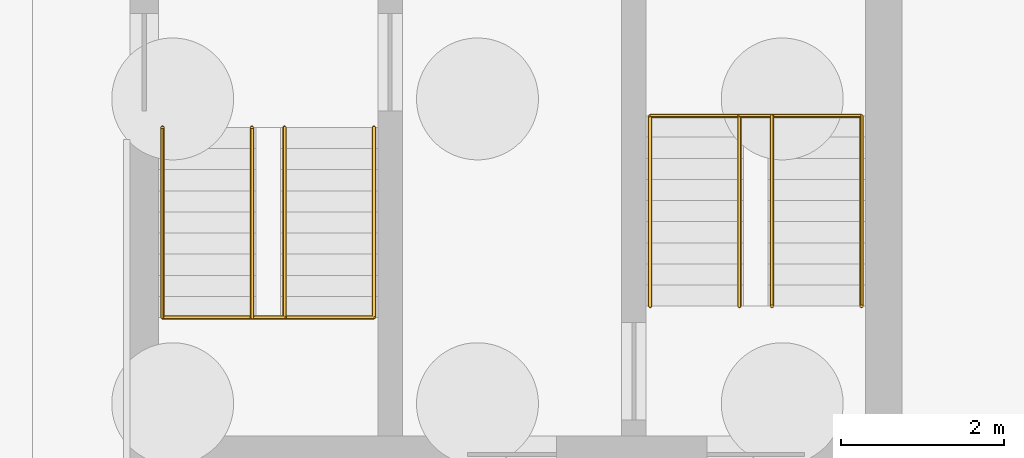
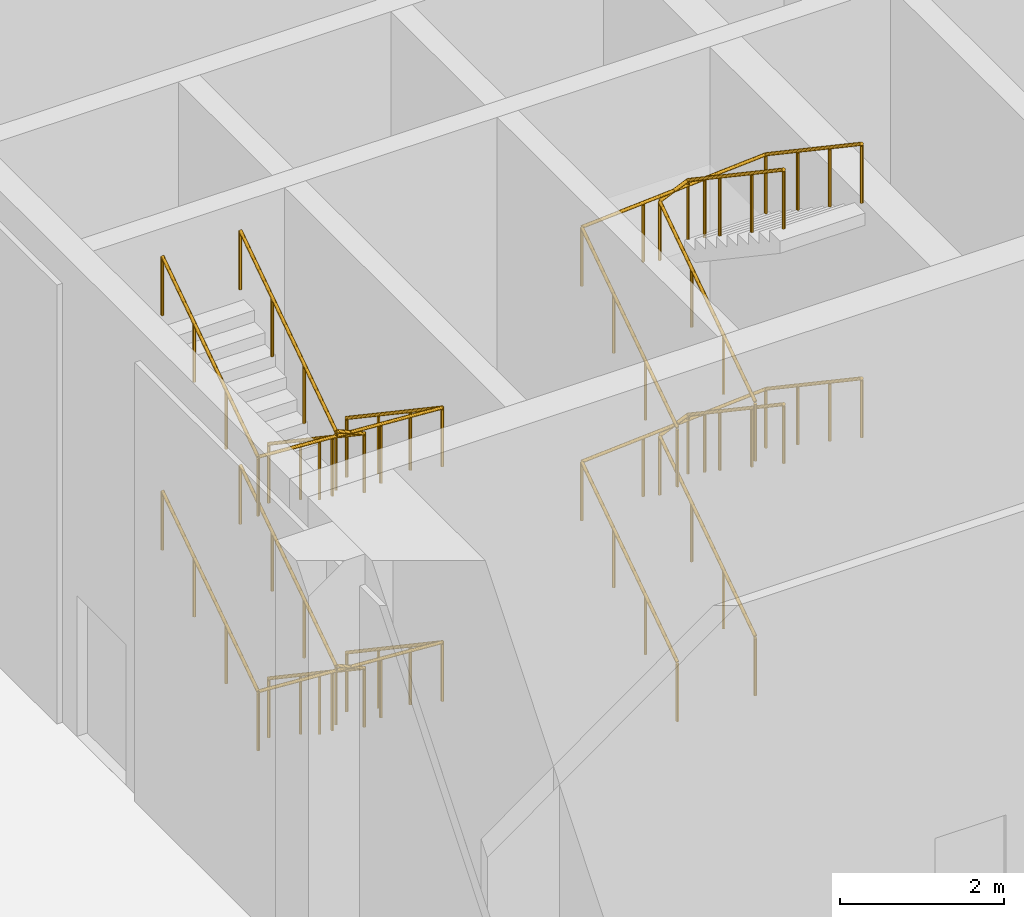
# One storey, part 24 of 26: 8 railings.
"""IFC4 building model written with IfcOpenShell, lengths in metres."""

import ifcopenshell
import ifcopenshell.guid

model = None  # the IFC model being written
_history = None  # IfcOwnerHistory: only IFC2X3 demands one
_inside = {}  # id of a spatial element -> (the spatial element, [elements in it])
_under = {}  # id of a project, library or spatial element -> (it, [spatial elements below it])
_declared = {}  # id of a project -> (the project, [libraries it declares])
_typed = {}  # id of a type object -> (the type object, [elements of that type])
_made_of = {}  # id of a material, layer set ... -> (it, [elements and type objects made of it])


def new_model(schema):
    """Start an empty IFC model of exactly this schema.

    Asked for "IFC4X3", IfcOpenShell would pick the latest addendum, in which some entities
    have other attributes; the version numbers below select the first issue.
    IFC2X3 requires an IfcOwnerHistory on every rooted entity: one is made here for all.
    """
    global model, _history
    if schema == "IFC4X3":
        model = ifcopenshell.file(schema_version=(4, 3, 0, 0))
    else:
        model = ifcopenshell.file(schema=schema)
    _inside.clear()
    _under.clear()
    _declared.clear()
    _typed.clear()
    _made_of.clear()
    _history = None
    if model.schema == "IFC2X3":
        org = make("IfcOrganization", Name="unknown")
        user = make(
            "IfcPersonAndOrganization",
            ThePerson=make("IfcPerson", FamilyName="unknown"),
            TheOrganization=org,
        )
        app = make(
            "IfcApplication",
            ApplicationDeveloper=org,
            Version="unknown",
            ApplicationFullName="unknown",
            ApplicationIdentifier="unknown",
        )
        _history = make(
            "IfcOwnerHistory",
            OwningUser=user,
            OwningApplication=app,
            ChangeAction="ADDED",
            CreationDate=0,
        )
    return model


def make(cls, **values):
    """One entity of the class cls with the attributes given. An attribute that is None is left unset."""
    return model.create_entity(
        cls, **{name: value for name, value in values.items() if value is not None}
    )


def rooted(cls, **values):
    """An entity with a GlobalId (a new one), such as an element, a storey or a relation."""
    return make(cls, GlobalId=ifcopenshell.guid.new(), OwnerHistory=_history, **values)


def si_unit(unit_type, name, prefix=None):
    """IfcSIUnit, for example si_unit("LENGTHUNIT", "METRE", prefix="MILLI")."""
    return make("IfcSIUnit", UnitType=unit_type, Prefix=prefix, Name=name)


def assignment(units):
    """IfcUnitAssignment: the units of a project."""
    return None if units is None else make("IfcUnitAssignment", Units=units)


def point(xyz):
    """IfcCartesianPoint."""
    return None if xyz is None else make("IfcCartesianPoint", Coordinates=xyz)


def direction(xyz):
    """IfcDirection."""
    return None if xyz is None else make("IfcDirection", DirectionRatios=xyz)


def frame(location, z_axis=None, x_axis=None):
    """IfcAxis2Placement3D, a coordinate frame: its origin and axes. An axis left out is left unset."""
    return make(
        "IfcAxis2Placement3D",
        Location=point(location),
        Axis=direction(z_axis),
        RefDirection=direction(x_axis),
    )


def frame_2d(location, x_axis=None):
    """IfcAxis2Placement2D, a coordinate frame in the plane: its origin and x axis."""
    return make(
        "IfcAxis2Placement2D", Location=point(location), RefDirection=direction(x_axis)
    )


def origin():
    """The frame at (0, 0, 0) with its axes left unset."""
    return frame((0.0, 0.0, 0.0))


def origin_2d():
    """The frame at (0, 0) in the plane with its x axis left unset."""
    return frame_2d((0.0, 0.0))


def place(relative_to, where):
    """IfcLocalPlacement: puts the frame where relative to a parent placement (None: the world)."""
    return make(
        "IfcLocalPlacement", PlacementRelTo=relative_to, RelativePlacement=where
    )


def context(
    kind, dimensions, precision=None, world=None, true_north=None, identifier=None
):
    """IfcGeometricRepresentationContext, for example the 3D "Model" context."""
    return make(
        "IfcGeometricRepresentationContext",
        ContextIdentifier=identifier,
        ContextType=kind,
        CoordinateSpaceDimension=dimensions,
        Precision=precision,
        WorldCoordinateSystem=world,
        TrueNorth=true_north,
    )


def subcontext(parent, identifier, kind, view, scale=None):
    """IfcGeometricRepresentationSubContext, for example "Body" below "Model"."""
    return make(
        "IfcGeometricRepresentationSubContext",
        ContextIdentifier=identifier,
        ContextType=kind,
        ParentContext=parent,
        TargetScale=scale,
        TargetView=view,
    )


def project(units=None, contexts=None):
    """IfcProject with its units and contexts."""
    return rooted(
        "IfcProject",
        Name="project",
        RepresentationContexts=contexts,
        UnitsInContext=assignment(units),
    )


def spatial(cls, under=None, at=None, **own):
    """A site, building, storey or space (cls), placed at a placement, below another one or the project."""
    s = rooted(cls, ObjectPlacement=at, **own)
    if under is not None:
        _under.setdefault(under.id(), (under, []))[1].append(s)
    return s


def profile(cls, at=None, kind="AREA", **sizes):
    """A parametric profile (cls). Its sizes go by their IFC names, for example OverallWidth=200.0."""
    return make(cls, ProfileType=kind, Position=at, **sizes)


def circle(**sizes):
    """IfcCircleProfileDef."""
    return profile("IfcCircleProfileDef", **sizes)


def extrude(swept, where, along, depth):
    """IfcExtrudedAreaSolid: the profile swept, set in the frame where, extruded along a direction by depth."""
    return make(
        "IfcExtrudedAreaSolid",
        SweptArea=swept,
        Position=where,
        ExtrudedDirection=direction(along),
        Depth=depth,
    )


def shape(context_of_items, identifier, shape_type, items):
    """IfcShapeRepresentation: the items that make up one representation, for example the "Body"."""
    return make(
        "IfcShapeRepresentation",
        ContextOfItems=context_of_items,
        RepresentationIdentifier=identifier,
        RepresentationType=shape_type,
        Items=items,
    )


def material(Name=None, Category=None):
    """IfcMaterial."""
    return make("IfcMaterial", Name=Name, Category=Category)


def made_of(thing, what):
    """Note that an element or type object is made of a material, layer set ...; save() writes the relation."""
    if what is not None:
        _made_of.setdefault(what.id(), (what, []))[1].append(thing)
    return thing


def type_object(cls, material=None, **own):
    """A type object (cls), such as IfcWallType, which elements share."""
    return made_of(rooted(cls, **own), material)


def element(
    cls,
    number,
    at=None,
    inside=None,
    cuts=None,
    type_object=None,
    material=None,
    context=None,
    identifier="Body",
    shape_type=None,
    held_by="IfcProductDefinitionShape",
    body=None,
    shapes=None,
    **own,
):
    """One element of the class cls, such as IfcWall. Its Tag is "e" and its number.

    at: its placement. inside: the storey or other place that contains it. cuts: it is an
    opening in that element (IfcRelVoidsElement). A single representation is given by context,
    identifier, shape_type and body (its items); several are given by shapes. held_by: the class
    of the entity that holds the representations. save() writes the other relations.
    """
    e = rooted(cls, Tag="e%d" % number, ObjectPlacement=at, **own)
    if body is not None:
        shapes = [shape(context, identifier, shape_type, body)]
    if shapes is not None:
        e.Representation = make(held_by, Representations=shapes)
    if inside is not None:
        _inside.setdefault(inside.id(), (inside, []))[1].append(e)
    if cuts is not None:
        rooted(
            "IfcRelVoidsElement", RelatingBuildingElement=cuts, RelatedOpeningElement=e
        )
    if type_object is not None:
        _typed.setdefault(type_object.id(), (type_object, []))[1].append(e)
    return made_of(e, material)


def aggregate(whole, parts):
    """IfcRelAggregates: a whole, such as a stair, and the parts it consists of."""
    return rooted("IfcRelAggregates", RelatingObject=whole, RelatedObjects=parts)


def save(model, path):
    """Write the relations noted so far, then the file.

    IfcRelAggregates (storeys below a building ...), IfcRelContainedInSpatialStructure (elements
    in a storey), IfcRelDefinesByType, IfcRelAssociatesMaterial and IfcRelDeclares: one each for
    every whole, place, type object, material and project.
    """
    for whole, parts in _under.values():
        aggregate(whole, parts)
    for where, things in _inside.values():
        rooted(
            "IfcRelContainedInSpatialStructure",
            RelatedElements=things,
            RelatingStructure=where,
        )
    for kind, things in _typed.values():
        rooted("IfcRelDefinesByType", RelatedObjects=things, RelatingType=kind)
    for what, things in _made_of.values():
        rooted("IfcRelAssociatesMaterial", RelatedObjects=things, RelatingMaterial=what)
    for by, libraries in _declared.values():
        rooted("IfcRelDeclares", RelatingContext=by, RelatedDefinitions=libraries)
    model.write(path)


model = new_model("IFC4")

# Units and contexts
model_context = context("Model", 3, precision=1e-05, world=origin(), true_north=direction((0.0, 1.0)))
body_context = subcontext(model_context, "Body", "Model", "MODEL_VIEW")
ifc_project = project(units=[si_unit("LENGTHUNIT", "METRE"), si_unit("AREAUNIT", "SQUARE_METRE"), si_unit("VOLUMEUNIT", "CUBIC_METRE"), si_unit("PLANEANGLEUNIT", "RADIAN"), si_unit("MASSUNIT", "GRAM", prefix="KILO")], contexts=[model_context])

# Site, building, storey
site_placement = place(None, origin())
site = spatial("IfcSite", under=ifc_project, at=site_placement, CompositionType="ELEMENT")
building_placement = place(site_placement, origin())
building = spatial("IfcBuilding", under=site, at=building_placement, Name="Torana Hotel and Residences", CompositionType="ELEMENT")
storey_placement = place(building_placement, origin())
storey = spatial("IfcBuildingStorey", under=building, at=storey_placement, Name="L00", CompositionType="ELEMENT", Elevation=0.0)

# Railings
ifc_material = material(Name="Stainless steel 316", Category="steel")
railing_type = type_object("IfcRailingType", Name="STAIR HANDRAIL HR1 900", PredefinedType="HANDRAIL", material=ifc_material)
railing_1_placement = place(storey_placement, frame((13.0, -10.75, 0.175048828125)))
element("IfcRailing", 1, at=railing_1_placement, inside=storey, type_object=railing_type, Name="Handrail ST3 L00 O1", PredefinedType="HANDRAIL", context=body_context, shape_type="SweptSolid", body=[
    extrude(circle(Radius=0.02392578125, at=origin_2d()), frame((0.0, 0.0, 0.8759765625), z_axis=(0.0, -0.829605480656, 0.558350021462), x_axis=(1.0, 0.0, 0.0)), (0.0, 0.0, 1.0), 2.82080078125),
    extrude(circle(Radius=0.02392578125, at=origin_2d()), frame((0.0, -2.340087890625, 2.45068359375), z_axis=(-0.997741418201, 0.0, 0.067171887028), x_axis=(0.0, -1.0, 0.0)), (0.0, 0.0, 1.0), 2.60595703125),
    extrude(circle(Radius=0.02392578125, at=origin_2d()), frame((-2.60009765625, -2.340087890625, 2.6259765625), z_axis=(0.0, 0.829605480656, 0.558350021462), x_axis=(-1.0, 0.0, 0.0)), (0.0, 0.0, 1.0), 2.82080078125),
    extrude(circle(Radius=0.02099609375, at=origin_2d()), origin(), (0.0, 0.0, 1.0), 0.851806640625),
    extrude(circle(Radius=0.02099609375, at=origin_2d()), frame((0.0, -0.780029296875, 0.52490234375)), (0.0, 0.0, 1.0), 0.851806640625),
    extrude(circle(Radius=0.02099609375, at=origin_2d()), frame((0.0, -1.56005859375, 1.050048828125)), (0.0, 0.0, 1.0), 0.851806640625),
    extrude(circle(Radius=0.02099609375, at=origin_2d()), frame((0.0, -2.340087890625, 1.574951171875)), (0.0, 0.0, 1.0), 0.851806640625),
    extrude(circle(Radius=0.02099609375, at=origin_2d()), frame((-0.86669921875, -2.340087890625, 1.63330078125)), (0.0, 0.0, 1.0), 0.851806640625),
    extrude(circle(Radius=0.02099609375, at=origin_2d()), frame((-1.7333984375, -2.340087890625, 1.691650390625)), (0.0, 0.0, 1.0), 0.851806640625),
    extrude(circle(Radius=0.02099609375, at=origin_2d()), frame((-2.60009765625, -2.340087890625, 1.75)), (0.0, 0.0, 1.0), 0.851806640625),
    extrude(circle(Radius=0.02099609375, at=origin_2d()), frame((-2.60009765625, -1.56005859375, 2.27490234375)), (0.0, 0.0, 1.0), 0.851806640625),
    extrude(circle(Radius=0.02099609375, at=origin_2d()), frame((-2.60009765625, -0.780029296875, 2.800048828125)), (0.0, 0.0, 1.0), 0.851806640625),
    extrude(circle(Radius=0.02099609375, at=origin_2d()), frame((-2.60009765625, 0.0, 3.324951171875)), (0.0, 0.0, 1.0), 0.851806640625),
])
railing_2_placement = place(storey_placement, frame((11.89990234375, -10.75, 0.175048828125)))
element("IfcRailing", 2, at=railing_2_placement, inside=storey, type_object=railing_type, Name="Handrail ST3 L00 I1", PredefinedType="HANDRAIL", context=body_context, shape_type="SweptSolid", body=[
    extrude(circle(Radius=0.02392578125, at=origin_2d()), frame((0.0, 0.0, 0.8759765625), z_axis=(0.0, -0.829605480656, 0.558350021462), x_axis=(1.0, 0.0, 0.0)), (0.0, 0.0, 1.0), 2.82080078125),
    extrude(circle(Radius=0.02392578125, at=origin_2d()), frame((0.0, -2.340087890625, 2.45068359375), z_axis=(-0.916080304094, 0.0, 0.400994858385), x_axis=(0.0, -1.0, 0.0)), (0.0, 0.0, 1.0), 0.4365234375),
    extrude(circle(Radius=0.02392578125, at=origin_2d()), frame((-0.39990234375, -2.340087890625, 2.6259765625), z_axis=(0.0, 0.829605480656, 0.558350021462), x_axis=(-1.0, 0.0, 0.0)), (0.0, 0.0, 1.0), 2.82080078125),
    extrude(circle(Radius=0.02099609375, at=origin_2d()), origin(), (0.0, 0.0, 1.0), 0.851806640625),
    extrude(circle(Radius=0.02099609375, at=origin_2d()), frame((0.0, -0.780029296875, 0.52490234375)), (0.0, 0.0, 1.0), 0.851806640625),
    extrude(circle(Radius=0.02099609375, at=origin_2d()), frame((0.0, -1.56005859375, 1.050048828125)), (0.0, 0.0, 1.0), 0.851806640625),
    extrude(circle(Radius=0.02099609375, at=origin_2d()), frame((0.0, -2.340087890625, 1.574951171875)), (0.0, 0.0, 1.0), 0.851806640625),
    extrude(circle(Radius=0.02099609375, at=origin_2d()), frame((-0.39990234375, -2.340087890625, 1.75)), (0.0, 0.0, 1.0), 0.851806640625),
    extrude(circle(Radius=0.02099609375, at=origin_2d()), frame((-0.39990234375, -1.56005859375, 2.27490234375)), (0.0, 0.0, 1.0), 0.851806640625),
    extrude(circle(Radius=0.02099609375, at=origin_2d()), frame((-0.39990234375, -0.780029296875, 2.800048828125)), (0.0, 0.0, 1.0), 0.851806640625),
    extrude(circle(Radius=0.02099609375, at=origin_2d()), frame((-0.39990234375, 0.0, 3.324951171875)), (0.0, 0.0, 1.0), 0.851806640625),
])
railing_3_placement = place(storey_placement, frame((13.0, -10.75, 3.675048828125)))
element("IfcRailing", 3, at=railing_3_placement, inside=storey, type_object=railing_type, Name="Handrail ST3 L00 O2", PredefinedType="HANDRAIL", context=body_context, shape_type="SweptSolid", body=[
    extrude(circle(Radius=0.02392578125, at=origin_2d()), frame((0.0, 0.0, 0.8759765625), z_axis=(0.0, -0.829605480656, 0.558350021462), x_axis=(1.0, 0.0, 0.0)), (0.0, 0.0, 1.0), 2.82080078125),
    extrude(circle(Radius=0.02392578125, at=origin_2d()), frame((0.0, -2.340087890625, 2.45068359375), z_axis=(-0.997741418201, 0.0, 0.067171887028), x_axis=(0.0, -1.0, 0.0)), (0.0, 0.0, 1.0), 2.60595703125),
    extrude(circle(Radius=0.02392578125, at=origin_2d()), frame((-2.60009765625, -2.340087890625, 2.6259765625), z_axis=(0.0, 0.829605480656, 0.558350021462), x_axis=(-1.0, 0.0, 0.0)), (0.0, 0.0, 1.0), 2.82080078125),
    extrude(circle(Radius=0.02099609375, at=origin_2d()), origin(), (0.0, 0.0, 1.0), 0.851806640625),
    extrude(circle(Radius=0.02099609375, at=origin_2d()), frame((0.0, -0.780029296875, 0.52490234375)), (0.0, 0.0, 1.0), 0.851806640625),
    extrude(circle(Radius=0.02099609375, at=origin_2d()), frame((0.0, -1.56005859375, 1.050048828125)), (0.0, 0.0, 1.0), 0.851806640625),
    extrude(circle(Radius=0.02099609375, at=origin_2d()), frame((0.0, -2.340087890625, 1.574951171875)), (0.0, 0.0, 1.0), 0.851806640625),
    extrude(circle(Radius=0.02099609375, at=origin_2d()), frame((-0.86669921875, -2.340087890625, 1.63330078125)), (0.0, 0.0, 1.0), 0.851806640625),
    extrude(circle(Radius=0.02099609375, at=origin_2d()), frame((-1.7333984375, -2.340087890625, 1.691650390625)), (0.0, 0.0, 1.0), 0.851806640625),
    extrude(circle(Radius=0.02099609375, at=origin_2d()), frame((-2.60009765625, -2.340087890625, 1.75)), (0.0, 0.0, 1.0), 0.851806640625),
    extrude(circle(Radius=0.02099609375, at=origin_2d()), frame((-2.60009765625, -1.56005859375, 2.27490234375)), (0.0, 0.0, 1.0), 0.851806640625),
    extrude(circle(Radius=0.02099609375, at=origin_2d()), frame((-2.60009765625, -0.780029296875, 2.800048828125)), (0.0, 0.0, 1.0), 0.851806640625),
    extrude(circle(Radius=0.02099609375, at=origin_2d()), frame((-2.60009765625, 0.0, 3.324951171875)), (0.0, 0.0, 1.0), 0.851806640625),
])
railing_4_placement = place(storey_placement, frame((11.89990234375, -10.75, 3.675048828125)))
element("IfcRailing", 4, at=railing_4_placement, inside=storey, type_object=railing_type, Name="Handrail ST3 L00 I2", PredefinedType="HANDRAIL", context=body_context, shape_type="SweptSolid", body=[
    extrude(circle(Radius=0.02392578125, at=origin_2d()), frame((0.0, 0.0, 0.8759765625), z_axis=(0.0, -0.829605480656, 0.558350021462), x_axis=(1.0, 0.0, 0.0)), (0.0, 0.0, 1.0), 2.82080078125),
    extrude(circle(Radius=0.02392578125, at=origin_2d()), frame((0.0, -2.340087890625, 2.45068359375), z_axis=(-0.916080304094, 0.0, 0.400994858385), x_axis=(0.0, -1.0, 0.0)), (0.0, 0.0, 1.0), 0.4365234375),
    extrude(circle(Radius=0.02392578125, at=origin_2d()), frame((-0.39990234375, -2.340087890625, 2.6259765625), z_axis=(0.0, 0.829605480656, 0.558350021462), x_axis=(-1.0, 0.0, 0.0)), (0.0, 0.0, 1.0), 2.82080078125),
    extrude(circle(Radius=0.02099609375, at=origin_2d()), origin(), (0.0, 0.0, 1.0), 0.851806640625),
    extrude(circle(Radius=0.02099609375, at=origin_2d()), frame((0.0, -0.780029296875, 0.52490234375)), (0.0, 0.0, 1.0), 0.851806640625),
    extrude(circle(Radius=0.02099609375, at=origin_2d()), frame((0.0, -1.56005859375, 1.050048828125)), (0.0, 0.0, 1.0), 0.851806640625),
    extrude(circle(Radius=0.02099609375, at=origin_2d()), frame((0.0, -2.340087890625, 1.574951171875)), (0.0, 0.0, 1.0), 0.851806640625),
    extrude(circle(Radius=0.02099609375, at=origin_2d()), frame((-0.39990234375, -2.340087890625, 1.75)), (0.0, 0.0, 1.0), 0.851806640625),
    extrude(circle(Radius=0.02099609375, at=origin_2d()), frame((-0.39990234375, -1.56005859375, 2.27490234375)), (0.0, 0.0, 1.0), 0.851806640625),
    extrude(circle(Radius=0.02099609375, at=origin_2d()), frame((-0.39990234375, -0.780029296875, 2.800048828125)), (0.0, 0.0, 1.0), 0.851806640625),
    extrude(circle(Radius=0.02099609375, at=origin_2d()), frame((-0.39990234375, 0.0, 3.324951171875)), (0.0, 0.0, 1.0), 0.851806640625),
])
railing_5_placement = place(storey_placement, frame((16.39990234375, -12.949951171875, 0.175048828125)))
element("IfcRailing", 5, at=railing_5_placement, inside=storey, type_object=railing_type, Name="Handrail ST4 L00 O1", PredefinedType="HANDRAIL", context=body_context, shape_type="SweptSolid", body=[
    extrude(circle(Radius=0.02392578125, at=origin_2d()), frame((0.0, 0.0, 0.8759765625), z_axis=(0.0, 0.829578494604, 0.558390115681), x_axis=(-1.0, 0.0, 0.0)), (0.0, 0.0, 1.0), 2.820556640625),
    extrude(circle(Radius=0.02392578125, at=origin_2d()), frame((0.0, 2.33984375, 2.45068359375), z_axis=(0.997741418201, 0.0, 0.067171887028), x_axis=(0.0, 1.0, 0.0)), (0.0, 0.0, 1.0), 2.60595703125),
    extrude(circle(Radius=0.02392578125, at=origin_2d()), frame((2.60009765625, 2.33984375, 2.6259765625), z_axis=(0.0, -0.829578494604, 0.558390115681), x_axis=(1.0, 0.0, 0.0)), (0.0, 0.0, 1.0), 2.820556640625),
    extrude(circle(Radius=0.02099609375, at=origin_2d()), origin(), (0.0, 0.0, 1.0), 0.851806640625),
    extrude(circle(Radius=0.02099609375, at=origin_2d()), frame((0.0, 0.780029296875, 0.52490234375)), (0.0, 0.0, 1.0), 0.851806640625),
    extrude(circle(Radius=0.02099609375, at=origin_2d()), frame((0.0, 1.559814453125, 1.050048828125)), (0.0, 0.0, 1.0), 0.851806640625),
    extrude(circle(Radius=0.02099609375, at=origin_2d()), frame((0.0, 2.33984375, 1.574951171875)), (0.0, 0.0, 1.0), 0.851806640625),
    extrude(circle(Radius=0.02099609375, at=origin_2d()), frame((0.86669921875, 2.33984375, 1.63330078125)), (0.0, 0.0, 1.0), 0.851806640625),
    extrude(circle(Radius=0.02099609375, at=origin_2d()), frame((1.7333984375, 2.33984375, 1.691650390625)), (0.0, 0.0, 1.0), 0.851806640625),
    extrude(circle(Radius=0.02099609375, at=origin_2d()), frame((2.60009765625, 2.33984375, 1.75)), (0.0, 0.0, 1.0), 0.851806640625),
    extrude(circle(Radius=0.02099609375, at=origin_2d()), frame((2.60009765625, 1.559814453125, 2.27490234375)), (0.0, 0.0, 1.0), 0.851806640625),
    extrude(circle(Radius=0.02099609375, at=origin_2d()), frame((2.60009765625, 0.780029296875, 2.800048828125)), (0.0, 0.0, 1.0), 0.851806640625),
    extrude(circle(Radius=0.02099609375, at=origin_2d()), frame((2.60009765625, 0.0, 3.324951171875)), (0.0, 0.0, 1.0), 0.851806640625),
])
railing_6_placement = place(storey_placement, frame((17.5, -12.949951171875, 0.175048828125)))
element("IfcRailing", 6, at=railing_6_placement, inside=storey, type_object=railing_type, Name="Handrail ST4 L00 I1", PredefinedType="HANDRAIL", context=body_context, shape_type="SweptSolid", body=[
    extrude(circle(Radius=0.02392578125, at=origin_2d()), frame((0.0, 0.0, 0.8759765625), z_axis=(0.0, 0.829578494604, 0.558390115681), x_axis=(-1.0, 0.0, 0.0)), (0.0, 0.0, 1.0), 2.820556640625),
    extrude(circle(Radius=0.02392578125, at=origin_2d()), frame((0.0, 2.33984375, 2.45068359375), z_axis=(0.916080304094, 0.0, 0.400994858385), x_axis=(0.0, 1.0, 0.0)), (0.0, 0.0, 1.0), 0.4365234375),
    extrude(circle(Radius=0.02392578125, at=origin_2d()), frame((0.39990234375, 2.33984375, 2.6259765625), z_axis=(0.0, -0.829578494604, 0.558390115681), x_axis=(1.0, 0.0, 0.0)), (0.0, 0.0, 1.0), 2.820556640625),
    extrude(circle(Radius=0.02099609375, at=origin_2d()), origin(), (0.0, 0.0, 1.0), 0.851806640625),
    extrude(circle(Radius=0.02099609375, at=origin_2d()), frame((0.0, 0.780029296875, 0.52490234375)), (0.0, 0.0, 1.0), 0.851806640625),
    extrude(circle(Radius=0.02099609375, at=origin_2d()), frame((0.0, 1.559814453125, 1.050048828125)), (0.0, 0.0, 1.0), 0.851806640625),
    extrude(circle(Radius=0.02099609375, at=origin_2d()), frame((0.0, 2.33984375, 1.574951171875)), (0.0, 0.0, 1.0), 0.851806640625),
    extrude(circle(Radius=0.02099609375, at=origin_2d()), frame((0.39990234375, 2.33984375, 1.75)), (0.0, 0.0, 1.0), 0.851806640625),
    extrude(circle(Radius=0.02099609375, at=origin_2d()), frame((0.39990234375, 1.559814453125, 2.27490234375)), (0.0, 0.0, 1.0), 0.851806640625),
    extrude(circle(Radius=0.02099609375, at=origin_2d()), frame((0.39990234375, 0.780029296875, 2.800048828125)), (0.0, 0.0, 1.0), 0.851806640625),
    extrude(circle(Radius=0.02099609375, at=origin_2d()), frame((0.39990234375, 0.0, 3.324951171875)), (0.0, 0.0, 1.0), 0.851806640625),
])
railing_7_placement = place(storey_placement, frame((16.39990234375, -12.949951171875, 3.675048828125)))
element("IfcRailing", 7, at=railing_7_placement, inside=storey, type_object=railing_type, Name="Handrail ST4 L00 O2", PredefinedType="HANDRAIL", context=body_context, shape_type="SweptSolid", body=[
    extrude(circle(Radius=0.02392578125, at=origin_2d()), frame((0.0, 0.0, 0.8759765625), z_axis=(0.0, 0.829578494604, 0.558390115681), x_axis=(-1.0, 0.0, 0.0)), (0.0, 0.0, 1.0), 2.820556640625),
    extrude(circle(Radius=0.02392578125, at=origin_2d()), frame((0.0, 2.33984375, 2.45068359375), z_axis=(0.997741418201, 0.0, 0.067171887028), x_axis=(0.0, 1.0, 0.0)), (0.0, 0.0, 1.0), 2.60595703125),
    extrude(circle(Radius=0.02392578125, at=origin_2d()), frame((2.60009765625, 2.33984375, 2.6259765625), z_axis=(0.0, -0.829578494604, 0.558390115681), x_axis=(1.0, 0.0, 0.0)), (0.0, 0.0, 1.0), 2.820556640625),
    extrude(circle(Radius=0.02099609375, at=origin_2d()), origin(), (0.0, 0.0, 1.0), 0.851806640625),
    extrude(circle(Radius=0.02099609375, at=origin_2d()), frame((0.0, 0.780029296875, 0.52490234375)), (0.0, 0.0, 1.0), 0.851806640625),
    extrude(circle(Radius=0.02099609375, at=origin_2d()), frame((0.0, 1.559814453125, 1.050048828125)), (0.0, 0.0, 1.0), 0.851806640625),
    extrude(circle(Radius=0.02099609375, at=origin_2d()), frame((0.0, 2.33984375, 1.574951171875)), (0.0, 0.0, 1.0), 0.851806640625),
    extrude(circle(Radius=0.02099609375, at=origin_2d()), frame((0.86669921875, 2.33984375, 1.63330078125)), (0.0, 0.0, 1.0), 0.851806640625),
    extrude(circle(Radius=0.02099609375, at=origin_2d()), frame((1.7333984375, 2.33984375, 1.691650390625)), (0.0, 0.0, 1.0), 0.851806640625),
    extrude(circle(Radius=0.02099609375, at=origin_2d()), frame((2.60009765625, 2.33984375, 1.75)), (0.0, 0.0, 1.0), 0.851806640625),
    extrude(circle(Radius=0.02099609375, at=origin_2d()), frame((2.60009765625, 1.559814453125, 2.27490234375)), (0.0, 0.0, 1.0), 0.851806640625),
    extrude(circle(Radius=0.02099609375, at=origin_2d()), frame((2.60009765625, 0.780029296875, 2.800048828125)), (0.0, 0.0, 1.0), 0.851806640625),
    extrude(circle(Radius=0.02099609375, at=origin_2d()), frame((2.60009765625, 0.0, 3.324951171875)), (0.0, 0.0, 1.0), 0.851806640625),
])
railing_8_placement = place(storey_placement, frame((17.5, -12.949951171875, 3.675048828125)))
element("IfcRailing", 8, at=railing_8_placement, inside=storey, type_object=railing_type, Name="Handrail ST4 L00 I2", PredefinedType="HANDRAIL", context=body_context, shape_type="SweptSolid", body=[
    extrude(circle(Radius=0.02392578125, at=origin_2d()), frame((0.0, 0.0, 0.8759765625), z_axis=(0.0, 0.829578494604, 0.558390115681), x_axis=(-1.0, 0.0, 0.0)), (0.0, 0.0, 1.0), 2.820556640625),
    extrude(circle(Radius=0.02392578125, at=origin_2d()), frame((0.0, 2.33984375, 2.45068359375), z_axis=(0.916080304094, 0.0, 0.400994858385), x_axis=(0.0, 1.0, 0.0)), (0.0, 0.0, 1.0), 0.4365234375),
    extrude(circle(Radius=0.02392578125, at=origin_2d()), frame((0.39990234375, 2.33984375, 2.6259765625), z_axis=(0.0, -0.829578494604, 0.558390115681), x_axis=(1.0, 0.0, 0.0)), (0.0, 0.0, 1.0), 2.820556640625),
    extrude(circle(Radius=0.02099609375, at=origin_2d()), origin(), (0.0, 0.0, 1.0), 0.851806640625),
    extrude(circle(Radius=0.02099609375, at=origin_2d()), frame((0.0, 0.780029296875, 0.52490234375)), (0.0, 0.0, 1.0), 0.851806640625),
    extrude(circle(Radius=0.02099609375, at=origin_2d()), frame((0.0, 1.559814453125, 1.050048828125)), (0.0, 0.0, 1.0), 0.851806640625),
    extrude(circle(Radius=0.02099609375, at=origin_2d()), frame((0.0, 2.33984375, 1.574951171875)), (0.0, 0.0, 1.0), 0.851806640625),
    extrude(circle(Radius=0.02099609375, at=origin_2d()), frame((0.39990234375, 2.33984375, 1.75)), (0.0, 0.0, 1.0), 0.851806640625),
    extrude(circle(Radius=0.02099609375, at=origin_2d()), frame((0.39990234375, 1.559814453125, 2.27490234375)), (0.0, 0.0, 1.0), 0.851806640625),
    extrude(circle(Radius=0.02099609375, at=origin_2d()), frame((0.39990234375, 0.780029296875, 2.800048828125)), (0.0, 0.0, 1.0), 0.851806640625),
    extrude(circle(Radius=0.02099609375, at=origin_2d()), frame((0.39990234375, 0.0, 3.324951171875)), (0.0, 0.0, 1.0), 0.851806640625),
])

save(model, "model.ifc")
